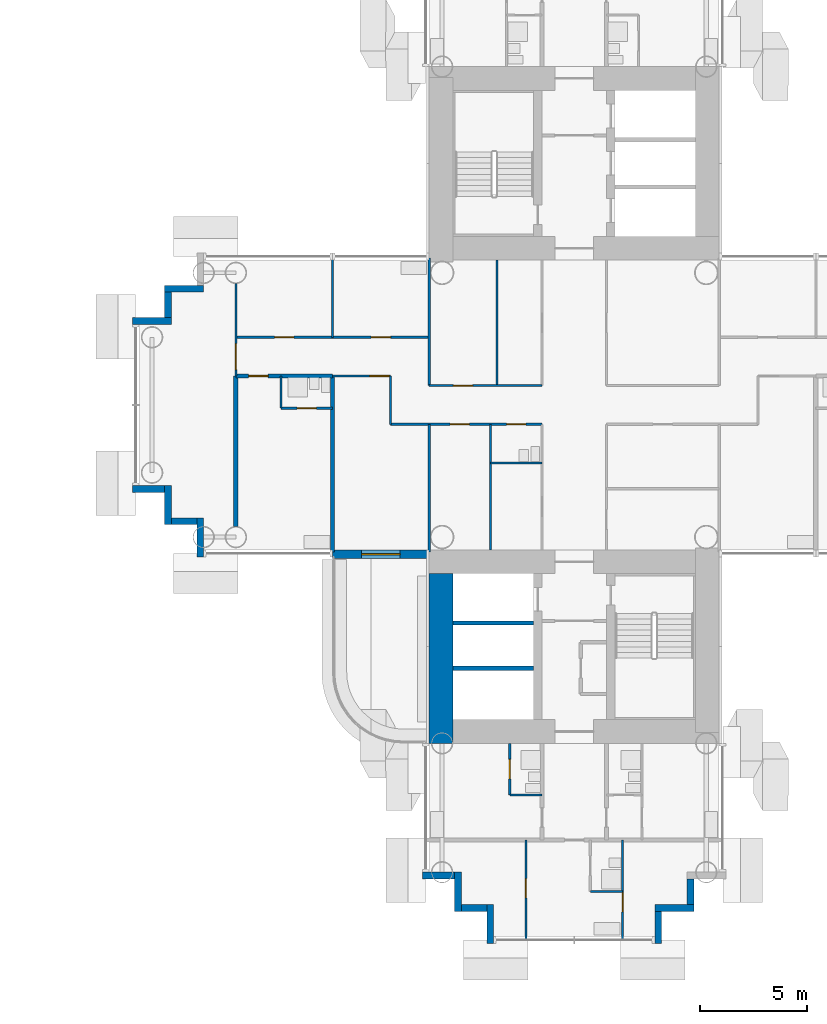
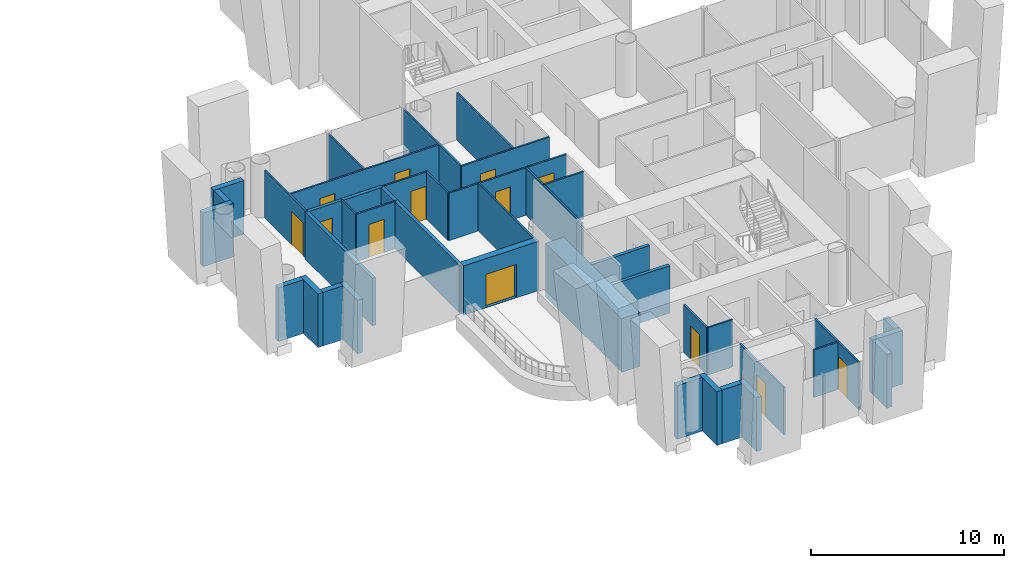
# One storey, part 13 of 23: 40 walls, 13 doors, 13 openings.
"""IFC4 building model written with IfcOpenShell, lengths in metres."""

from ifc_helpers import new_model, si_unit, direction, frame, frame_2d, origin, place, context, subcontext, project, spatial, rectangle, extrude, material, layer, layer_set, type_object, element, fill, save


model = new_model("IFC4")

# Units and contexts
model_context = context("Model", 3, precision=1e-05, world=origin(), true_north=direction((0.0, 1.0)))
body_context = subcontext(model_context, "Body", "Model", "MODEL_VIEW")
ifc_project = project(units=[si_unit("LENGTHUNIT", "METRE"), si_unit("AREAUNIT", "SQUARE_METRE"), si_unit("VOLUMEUNIT", "CUBIC_METRE"), si_unit("PLANEANGLEUNIT", "RADIAN"), si_unit("MASSUNIT", "GRAM", prefix="KILO")], contexts=[model_context])

# Site, building, storey
site_placement = place(None, origin())
site = spatial("IfcSite", under=ifc_project, at=site_placement, CompositionType="ELEMENT")
building_placement = place(site_placement, origin())
building = spatial("IfcBuilding", under=site, at=building_placement, Name="Ipe Terrace Towers", CompositionType="ELEMENT")
storey_placement = place(building_placement, frame((0.0, 0.0, 51.699951171875)))
storey = spatial("IfcBuildingStorey", under=building, at=storey_placement, Name="L13", CompositionType="ELEMENT", Elevation=51.699951171875)

# Wall, opening, door
ifc_material_1 = material(Name="Concrete C40/50 with buff precast cladding", Category="concrete")
ifc_layer_1 = layer(ifc_material_1, 0.39990234375)
ifc_layer_set_1 = layer_set([ifc_layer_1], Name="BALCONY BAY WALL 400")
wall_type_1 = type_object("IfcWallType", Name="BALCONY BAY WALL 400", PredefinedType="STANDARD", material=ifc_layer_set_1)
wall_1_placement = place(storey_placement, frame((24.75, -6.949951171875, -0.02001953125), z_axis=(0.0, 0.0, 1.0), x_axis=(1.0, 0.0, 0.0)))
wall_1 = element("IfcWall", 1, at=wall_1_placement, inside=storey, type_object=wall_type_1, Name="T2-W-L13-44a wall", PredefinedType="STANDARD", context=body_context, shape_type="SweptSolid", body=[
    extrude(rectangle(XDim=4.5, YDim=0.39990234375, at=frame_2d((2.25, 0.0))), origin(), (0.0, 0.0, 1.0), 3.1201171875),
])
opening_1_placement = place(wall_1_placement, frame((1.35009765625, 0.0, 0.02001953125)))
opening_1 = element("IfcOpeningElement", 2, at=opening_1_placement, cuts=wall_1, Name="Opening T2-D-L13-44", PredefinedType="OPENING", context=body_context, shape_type="SweptSolid", body=[
    extrude(rectangle(XDim=1.800048828125, YDim=2.10009765625, at=frame_2d((0.89990234375, 1.050048828125))), frame((0.0, 0.2099609375, 0.0), z_axis=(0.0, -1.0, 0.0), x_axis=(1.0, 0.0, 0.0)), (0.0, 0.0, 1.0), 0.419921875),
])
ifc_material_2 = material(Name="Aluminium alloy 6063-T6 framed glazed door", Category="aluminium")
door_type_1 = type_object("IfcDoorType", Name="BALCONY DOOR 1800 x 2100 RIGHT", OperationType="SINGLE_SWING_RIGHT", PredefinedType="DOOR", material=ifc_material_2)
door_1_placement = place(opening_1_placement, origin())
door_1 = element("IfcDoor", 3, at=door_1_placement, inside=storey, type_object=door_type_1, Name="DB2 door", OperationType="SINGLE_SWING_RIGHT", OverallHeight=2.10009765625, OverallWidth=1.800048828125, PredefinedType="DOOR", context=body_context, shape_type="SweptSolid", body=[
    extrude(rectangle(XDim=1.800048828125, YDim=2.10009765625, at=frame_2d((0.89990234375, 1.050048828125))), frame((0.0, 0.02490234375, 0.0), z_axis=(0.0, -1.0, 0.0), x_axis=(1.0, 0.0, 0.0)), (0.0, 0.0, 1.0), 0.050048828125),
])
fill(opening_1, door_1)

# Walls
ifc_material_3 = material(Name="Concrete C40/50 with buff precast cladding", Category="concrete")
ifc_layer_2 = layer(ifc_material_3, 0.320068359375)
ifc_layer_set_2 = layer_set([ifc_layer_2], Name="BUFF CLADDING WALL 320")
wall_type_2 = type_object("IfcWallType", Name="BUFF CLADDING WALL 320", PredefinedType="STANDARD", material=ifc_layer_set_2)
wall_2_placement = place(storey_placement, frame((39.909912109375, -25.070068359375, -0.300048828125), z_axis=(0.0, 0.0, 1.0), x_axis=(0.0, 1.0, 0.0)))
element("IfcWall", 4, at=wall_2_placement, inside=storey, type_object=wall_type_2, Name="T2-W-L13-00a wall", PredefinedType="STANDARD", context=body_context, shape_type="SweptSolid", body=[
    extrude(rectangle(XDim=1.5, YDim=0.320068359375, at=frame_2d((0.75, 0.0))), origin(), (0.0, 0.0, 1.0), 3.400146484375),
])
wall_3_placement = place(storey_placement, frame((39.75, -23.409912109375, -0.300048828125), z_axis=(0.0, 0.0, 1.0), x_axis=(1.0, 0.0, 0.0)))
element("IfcWall", 5, at=wall_3_placement, inside=storey, type_object=wall_type_2, Name="T2-W-L13-01a wall", PredefinedType="STANDARD", context=body_context, shape_type="SweptSolid", body=[
    extrude(rectangle(XDim=1.820068359375, YDim=0.320068359375, at=frame_2d((0.91015625, 0.0))), origin(), (0.0, 0.0, 1.0), 3.400146484375),
])
wall_4_placement = place(storey_placement, frame((41.409912109375, -23.25, -0.300048828125), z_axis=(0.0, 0.0, 1.0), x_axis=(0.0, 1.0, 0.0)))
element("IfcWall", 6, at=wall_4_placement, inside=storey, type_object=wall_type_2, Name="T2-W-L13-02a wall", PredefinedType="STANDARD", context=body_context, shape_type="SweptSolid", body=[
    extrude(rectangle(XDim=1.179931640625, YDim=0.320068359375, at=frame_2d((0.58984375, 0.0))), origin(), (0.0, 0.0, 1.0), 3.400146484375),
])
wall_5_placement = place(storey_placement, frame((18.75, 5.409912109375, -0.300048828125), z_axis=(0.0, 0.0, 1.0), x_axis=(-1.0, 0.0, 0.0)))
element("IfcWall", 7, at=wall_5_placement, inside=storey, type_object=wall_type_2, Name="T2-W-L13-35a wall", PredefinedType="STANDARD", context=body_context, shape_type="SweptSolid", body=[
    extrude(rectangle(XDim=1.820068359375, YDim=0.320068359375, at=frame_2d((0.91015625, 0.0))), origin(), (0.0, 0.0, 1.0), 3.400146484375),
])
wall_6_placement = place(storey_placement, frame((17.090087890625, 5.25, -0.300048828125), z_axis=(0.0, 0.0, 1.0), x_axis=(0.0, -1.0, 0.0)))
element("IfcWall", 8, at=wall_6_placement, inside=storey, type_object=wall_type_2, Name="T2-W-L13-36a wall", PredefinedType="STANDARD", context=body_context, shape_type="SweptSolid", body=[
    extrude(rectangle(XDim=1.179931640625, YDim=0.320068359375, at=frame_2d((0.58984375, 0.0))), origin(), (0.0, 0.0, 1.0), 3.400146484375),
])
wall_7_placement = place(storey_placement, frame((17.25, 3.909912109375, -0.300048828125), z_axis=(0.0, 0.0, 1.0), x_axis=(-1.0, 0.0, 0.0)))
element("IfcWall", 9, at=wall_7_placement, inside=storey, type_object=wall_type_2, Name="T2-W-L13-37a wall", PredefinedType="STANDARD", context=body_context, shape_type="SweptSolid", body=[
    extrude(rectangle(XDim=1.820068359375, YDim=0.320068359375, at=frame_2d((0.91015625, 0.0))), origin(), (0.0, 0.0, 1.0), 3.400146484375),
])
wall_8_placement = place(storey_placement, frame((15.429931640625, -3.909912109375, -0.300048828125), z_axis=(0.0, 0.0, 1.0), x_axis=(1.0, 0.0, 0.0)))
element("IfcWall", 10, at=wall_8_placement, inside=storey, type_object=wall_type_2, Name="T2-W-L13-39a wall", PredefinedType="STANDARD", context=body_context, shape_type="SweptSolid", body=[
    extrude(rectangle(XDim=1.5, YDim=0.320068359375, at=frame_2d((0.75, 0.0))), origin(), (0.0, 0.0, 1.0), 3.400146484375),
])
wall_9_placement = place(storey_placement, frame((17.090087890625, -3.75, -0.300048828125), z_axis=(0.0, 0.0, 1.0), x_axis=(0.0, -1.0, 0.0)))
element("IfcWall", 11, at=wall_9_placement, inside=storey, type_object=wall_type_2, Name="T2-W-L13-40a wall", PredefinedType="STANDARD", context=body_context, shape_type="SweptSolid", body=[
    extrude(rectangle(XDim=1.820068359375, YDim=0.320068359375, at=frame_2d((0.91015625, 0.0))), origin(), (0.0, 0.0, 1.0), 3.400146484375),
])
wall_10_placement = place(storey_placement, frame((17.25, -5.409912109375, -0.300048828125), z_axis=(0.0, 0.0, 1.0), x_axis=(1.0, 0.0, 0.0)))
element("IfcWall", 12, at=wall_10_placement, inside=storey, type_object=wall_type_2, Name="T2-W-L13-41a wall", PredefinedType="STANDARD", context=body_context, shape_type="SweptSolid", body=[
    extrude(rectangle(XDim=1.179931640625, YDim=0.320068359375, at=frame_2d((0.58984375, 0.0))), origin(), (0.0, 0.0, 1.0), 3.400146484375),
])
wall_11_placement = place(storey_placement, frame((18.590087890625, -5.25, -0.300048828125), z_axis=(0.0, 0.0, 1.0), x_axis=(0.0, -1.0, 0.0)))
element("IfcWall", 13, at=wall_11_placement, inside=storey, type_object=wall_type_2, Name="T2-W-L13-42a wall", PredefinedType="STANDARD", context=body_context, shape_type="SweptSolid", body=[
    extrude(rectangle(XDim=1.820068359375, YDim=0.320068359375, at=frame_2d((0.91015625, 0.0))), origin(), (0.0, 0.0, 1.0), 3.400146484375),
])
wall_12_placement = place(storey_placement, frame((28.929931640625, -21.909912109375, -0.300048828125), z_axis=(0.0, 0.0, 1.0), x_axis=(1.0, 0.0, 0.0)))
element("IfcWall", 14, at=wall_12_placement, inside=storey, type_object=wall_type_2, Name="T2-W-L13-47a wall", PredefinedType="STANDARD", context=body_context, shape_type="SweptSolid", body=[
    extrude(rectangle(XDim=1.5, YDim=0.320068359375, at=frame_2d((0.75, 0.0))), origin(), (0.0, 0.0, 1.0), 3.400146484375),
])
wall_13_placement = place(storey_placement, frame((30.590087890625, -21.75, -0.300048828125), z_axis=(0.0, 0.0, 1.0), x_axis=(0.0, -1.0, 0.0)))
element("IfcWall", 15, at=wall_13_placement, inside=storey, type_object=wall_type_2, Name="T2-W-L13-48a wall", PredefinedType="STANDARD", context=body_context, shape_type="SweptSolid", body=[
    extrude(rectangle(XDim=1.820068359375, YDim=0.320068359375, at=frame_2d((0.91015625, 0.0))), origin(), (0.0, 0.0, 1.0), 3.400146484375),
])
wall_14_placement = place(storey_placement, frame((30.75, -23.409912109375, -0.300048828125), z_axis=(0.0, 0.0, 1.0), x_axis=(1.0, 0.0, 0.0)))
element("IfcWall", 16, at=wall_14_placement, inside=storey, type_object=wall_type_2, Name="T2-W-L13-49a wall", PredefinedType="STANDARD", context=body_context, shape_type="SweptSolid", body=[
    extrude(rectangle(XDim=1.179931640625, YDim=0.320068359375, at=frame_2d((0.58984375, 0.0))), origin(), (0.0, 0.0, 1.0), 3.400146484375),
])
wall_15_placement = place(storey_placement, frame((32.090087890625, -23.25, -0.300048828125), z_axis=(0.0, 0.0, 1.0), x_axis=(0.0, -1.0, 0.0)))
element("IfcWall", 17, at=wall_15_placement, inside=storey, type_object=wall_type_2, Name="T2-W-L13-50a wall", PredefinedType="STANDARD", context=body_context, shape_type="SweptSolid", body=[
    extrude(rectangle(XDim=1.820068359375, YDim=0.320068359375, at=frame_2d((0.91015625, 0.0))), origin(), (0.0, 0.0, 1.0), 3.400146484375),
])
ifc_material_4 = material(Name="Gypsum board partition", Category="plasterboard")
ifc_layer_3 = layer(ifc_material_4, 0.10009765625)
ifc_layer_set_3 = layer_set([ifc_layer_3], Name="Gypsum board partition 100 mm")
wall_type_3 = type_object("IfcWallType", Name="Gypsum board partition 100 mm", PredefinedType="PARTITIONING", material=ifc_layer_set_3)
for number, where, z_axis, x_axis, name in (
    (18, (38.25, -22.64990234375, 0.0), (0.0, 0.0, 1.0), (-1.0, 0.0, 0.0), "Gypsum board partition T2 L13 W01"),
    (19, (34.5, -18.14990234375, 0.0), (0.0, 0.0, 1.0), (-1.0, 0.0, 0.0), "Gypsum board partition T2 L13 W04"),
):
    element("IfcWall", number, at=place(storey_placement, frame(where, z_axis=z_axis, x_axis=x_axis)), inside=storey, type_object=wall_type_3, Name=name, PredefinedType="PARTITIONING", context=body_context, shape_type="SweptSolid", body=[
        extrude(rectangle(XDim=1.5, YDim=0.10009765625, at=frame_2d((0.75, 0.0))), origin(), (0.0, 0.0, 1.0), 3.0),
    ])
wall_16_placement = place(storey_placement, frame((34.5, -2.699951171875, 0.0), z_axis=(0.0, 0.0, 1.0), x_axis=(-1.0, 0.0, 0.0)))
element("IfcWall", 20, at=wall_16_placement, inside=storey, type_object=wall_type_3, Name="Gypsum board partition T2 L13 W06", PredefinedType="PARTITIONING", context=body_context, shape_type="SweptSolid", body=[
    extrude(rectangle(XDim=2.39990234375, YDim=0.10009765625, at=frame_2d((1.199951171875, 0.0))), origin(), (0.0, 0.0, 1.0), 3.0),
])

# Wall, openings, doors
wall_17_placement = place(storey_placement, frame((34.5, -0.89990234375, 0.0), z_axis=(0.0, 0.0, 1.0), x_axis=(-1.0, 0.0, 0.0)))
wall_17 = element("IfcWall", 21, at=wall_17_placement, inside=storey, type_object=wall_type_3, Name="Gypsum board partition T2 L13 W08", PredefinedType="PARTITIONING", context=body_context, shape_type="SweptSolid", body=[
    extrude(rectangle(XDim=7.050048828125, YDim=0.10009765625, at=frame_2d((3.52490234375, 0.0))), origin(), (0.0, 0.0, 1.0), 3.0),
])
opening_2_placement = place(wall_17_placement, frame((0.75, 0.0, 0.0)))
opening_2 = element("IfcOpeningElement", 22, at=opening_2_placement, cuts=wall_17, Name="Opening T2-Z1C-01", PredefinedType="OPENING", context=body_context, shape_type="SweptSolid", body=[
    extrude(rectangle(XDim=0.89990234375, YDim=2.10009765625, at=frame_2d((0.449951171875, 1.050048828125))), frame((0.0, 0.06005859375, 0.0), z_axis=(0.0, -1.0, 0.0), x_axis=(1.0, 0.0, 0.0)), (0.0, 0.0, 1.0), 0.1201171875),
])
opening_3_placement = place(wall_17_placement, frame((3.375, 0.0, 0.0)))
opening_3 = element("IfcOpeningElement", 23, at=opening_3_placement, cuts=wall_17, Name="Opening T2-Z1C-05", PredefinedType="OPENING", context=body_context, shape_type="SweptSolid", body=[
    extrude(rectangle(XDim=0.89990234375, YDim=2.10009765625, at=frame_2d((0.449951171875, 1.050048828125))), frame((0.0, 0.06005859375, 0.0), z_axis=(0.0, -1.0, 0.0), x_axis=(1.0, 0.0, 0.0)), (0.0, 0.0, 1.0), 0.1201171875),
])
ifc_material_5 = material(Name="Timber door leaf", Category="wood")
door_type_2 = type_object("IfcDoorType", Name="Bathroom door 900 x 2100", OperationType="NOTDEFINED", PredefinedType="DOOR", material=ifc_material_5)
door_2_placement = place(opening_2_placement, origin())
door_2 = element("IfcDoor", 24, at=door_2_placement, inside=storey, type_object=door_type_2, Name="Bathroom door T2-Z1C-01", OperationType="SINGLE_SWING_RIGHT", OverallHeight=2.10009765625, OverallWidth=0.89990234375, PredefinedType="DOOR", context=body_context, shape_type="SweptSolid", body=[
    extrude(rectangle(XDim=0.89990234375, YDim=2.10009765625, at=frame_2d((0.449951171875, 1.050048828125))), frame((0.0, 0.02490234375, 0.0), z_axis=(0.0, -1.0, 0.0), x_axis=(1.0, 0.0, 0.0)), (0.0, 0.0, 1.0), 0.050048828125),
])
fill(opening_2, door_2)
ifc_material_6 = material(Name="Timber door leaf", Category="wood")
door_type_3 = type_object("IfcDoorType", Name="Lounge door 900 x 2100", OperationType="NOTDEFINED", PredefinedType="DOOR", material=ifc_material_6)
door_3_placement = place(opening_3_placement, origin())
door_3 = element("IfcDoor", 25, at=door_3_placement, inside=storey, type_object=door_type_3, Name="Lounge door T2-Z1C-05", OperationType="SINGLE_SWING_LEFT", OverallHeight=2.10009765625, OverallWidth=0.89990234375, PredefinedType="DOOR", context=body_context, shape_type="SweptSolid", body=[
    extrude(rectangle(XDim=0.89990234375, YDim=2.10009765625, at=frame_2d((0.449951171875, 1.050048828125))), frame((0.0, 0.02490234375, 0.0), z_axis=(0.0, -1.0, 0.0), x_axis=(1.0, 0.0, 0.0)), (0.0, 0.0, 1.0), 0.050048828125),
])
fill(opening_3, door_3)

# Wall, opening, door
wall_18_placement = place(storey_placement, frame((24.75, -0.14990234375, 0.0), z_axis=(0.0, 0.0, 1.0), x_axis=(-1.0, 0.0, 0.0)))
wall_18 = element("IfcWall", 26, at=wall_18_placement, inside=storey, type_object=wall_type_3, Name="Gypsum board partition T2 L13 W10", PredefinedType="PARTITIONING", context=body_context, shape_type="SweptSolid", body=[
    extrude(rectangle(XDim=2.39990234375, YDim=0.10009765625, at=frame_2d((1.199951171875, 0.0))), origin(), (0.0, 0.0, 1.0), 3.0),
])
opening_4_placement = place(wall_18_placement, frame((0.75, 0.0, 0.0)))
opening_4 = element("IfcOpeningElement", 27, at=opening_4_placement, cuts=wall_18, Name="Opening T2-Z1C-11", PredefinedType="OPENING", context=body_context, shape_type="SweptSolid", body=[
    extrude(rectangle(XDim=0.89990234375, YDim=2.10009765625, at=frame_2d((0.449951171875, 1.050048828125))), frame((0.0, 0.06005859375, 0.0), z_axis=(0.0, -1.0, 0.0), x_axis=(1.0, 0.0, 0.0)), (0.0, 0.0, 1.0), 0.1201171875),
])
door_4_placement = place(opening_4_placement, origin())
door_4 = element("IfcDoor", 28, at=door_4_placement, inside=storey, type_object=door_type_2, Name="Bathroom door T2-Z1C-11", OperationType="SINGLE_SWING_LEFT", OverallHeight=2.10009765625, OverallWidth=0.89990234375, PredefinedType="DOOR", context=body_context, shape_type="SweptSolid", body=[
    extrude(rectangle(XDim=0.89990234375, YDim=2.10009765625, at=frame_2d((0.449951171875, 1.050048828125))), frame((0.0, 0.02490234375, 0.0), z_axis=(0.0, -1.0, 0.0), x_axis=(1.0, 0.0, 0.0)), (0.0, 0.0, 1.0), 0.050048828125),
])
fill(opening_4, door_4)

wall_19_placement = place(storey_placement, frame((34.5, 0.89990234375, 0.0), z_axis=(0.0, 0.0, 1.0), x_axis=(-1.0, 0.0, 0.0)))
wall_19 = element("IfcWall", 29, at=wall_19_placement, inside=storey, type_object=wall_type_3, Name="Gypsum board partition T2 L13 W12", PredefinedType="PARTITIONING", context=body_context, shape_type="SweptSolid", body=[
    extrude(rectangle(XDim=5.25, YDim=0.10009765625, at=frame_2d((2.625, 0.0))), origin(), (0.0, 0.0, 1.0), 3.0),
])
opening_5_placement = place(wall_19_placement, frame((3.22509765625, 0.0, 0.0)))
opening_5 = element("IfcOpeningElement", 30, at=opening_5_placement, cuts=wall_19, Name="Opening T2-Z1C-03", PredefinedType="OPENING", context=body_context, shape_type="SweptSolid", body=[
    extrude(rectangle(XDim=0.89990234375, YDim=2.10009765625, at=frame_2d((0.449951171875, 1.050048828125))), frame((0.0, 0.06005859375, 0.0), z_axis=(0.0, -1.0, 0.0), x_axis=(1.0, 0.0, 0.0)), (0.0, 0.0, 1.0), 0.1201171875),
])
door_5_placement = place(opening_5_placement, origin())
door_5 = element("IfcDoor", 31, at=door_5_placement, inside=storey, type_object=door_type_3, Name="Lounge door T2-Z1C-03", OperationType="SINGLE_SWING_RIGHT", OverallHeight=2.10009765625, OverallWidth=0.89990234375, PredefinedType="DOOR", context=body_context, shape_type="SweptSolid", body=[
    extrude(rectangle(XDim=0.89990234375, YDim=2.10009765625, at=frame_2d((0.449951171875, 1.050048828125))), frame((0.0, 0.02490234375, 0.0), z_axis=(0.0, -1.0, 0.0), x_axis=(1.0, 0.0, 0.0)), (0.0, 0.0, 1.0), 0.050048828125),
])
fill(opening_5, door_5)

wall_20_placement = place(storey_placement, frame((27.449951171875, 1.35009765625, 0.0), z_axis=(0.0, 0.0, 1.0), x_axis=(-1.0, 0.0, 0.0)))
wall_20 = element("IfcWall", 32, at=wall_20_placement, inside=storey, type_object=wall_type_3, Name="Gypsum board partition T2 L13 W14", PredefinedType="PARTITIONING", context=body_context, shape_type="SweptSolid", body=[
    extrude(rectangle(XDim=2.699951171875, YDim=0.10009765625, at=frame_2d((1.35009765625, 0.0))), origin(), (0.0, 0.0, 1.0), 3.0),
])
opening_6_placement = place(wall_20_placement, frame((0.070068359375, 0.0, 0.0)))
opening_6 = element("IfcOpeningElement", 33, at=opening_6_placement, cuts=wall_20, Name="Opening T2-Z1C-09", PredefinedType="OPENING", context=body_context, shape_type="SweptSolid", body=[
    extrude(rectangle(XDim=0.89990234375, YDim=2.10009765625, at=frame_2d((0.449951171875, 1.050048828125))), frame((0.0, 0.06005859375, 0.0), z_axis=(0.0, -1.0, 0.0), x_axis=(1.0, 0.0, 0.0)), (0.0, 0.0, 1.0), 0.1201171875),
])
door_6_placement = place(opening_6_placement, origin())
door_6 = element("IfcDoor", 34, at=door_6_placement, inside=storey, type_object=door_type_3, Name="Lounge door T2-Z1C-09", OperationType="SINGLE_SWING_RIGHT", OverallHeight=2.10009765625, OverallWidth=0.89990234375, PredefinedType="DOOR", context=body_context, shape_type="SweptSolid", body=[
    extrude(rectangle(XDim=0.89990234375, YDim=2.10009765625, at=frame_2d((0.449951171875, 1.050048828125))), frame((0.0, 0.02490234375, 0.0), z_axis=(0.0, -1.0, 0.0), x_axis=(1.0, 0.0, 0.0)), (0.0, 0.0, 1.0), 0.050048828125),
])
fill(opening_6, door_6)

# Wall, openings, doors
wall_21_placement = place(storey_placement, frame((29.25, 3.14990234375, 0.0), z_axis=(0.0, 0.0, 1.0), x_axis=(-1.0, 0.0, 0.0)))
wall_21 = element("IfcWall", 35, at=wall_21_placement, inside=storey, type_object=wall_type_3, Name="Gypsum board partition T2 L13 W18", PredefinedType="PARTITIONING", context=body_context, shape_type="SweptSolid", body=[
    extrude(rectangle(XDim=9.0, YDim=0.10009765625, at=frame_2d((4.5, 0.0))), origin(), (0.0, 0.0, 1.0), 3.0),
])
opening_7_placement = place(wall_21_placement, frame((1.800048828125, 0.0, 0.0)))
opening_7 = element("IfcOpeningElement", 36, at=opening_7_placement, cuts=wall_21, Name="Opening T2-Z1C-12", PredefinedType="OPENING", context=body_context, shape_type="SweptSolid", body=[
    extrude(rectangle(XDim=0.89990234375, YDim=2.10009765625, at=frame_2d((0.449951171875, 1.050048828125))), frame((0.0, 0.06005859375, 0.0), z_axis=(0.0, -1.0, 0.0), x_axis=(1.0, 0.0, 0.0)), (0.0, 0.0, 1.0), 0.1201171875),
])
opening_8_placement = place(wall_21_placement, frame((6.300048828125, 0.0, 0.0)))
opening_8 = element("IfcOpeningElement", 37, at=opening_8_placement, cuts=wall_21, Name="Opening T2-Z1C-13", PredefinedType="OPENING", context=body_context, shape_type="SweptSolid", body=[
    extrude(rectangle(XDim=0.89990234375, YDim=2.10009765625, at=frame_2d((0.449951171875, 1.050048828125))), frame((0.0, 0.06005859375, 0.0), z_axis=(0.0, -1.0, 0.0), x_axis=(1.0, 0.0, 0.0)), (0.0, 0.0, 1.0), 0.1201171875),
])
door_7_placement = place(opening_7_placement, origin())
door_7 = element("IfcDoor", 38, at=door_7_placement, inside=storey, type_object=door_type_3, Name="Lounge door T2-Z1C-12", OperationType="SINGLE_SWING_LEFT", OverallHeight=2.10009765625, OverallWidth=0.89990234375, PredefinedType="DOOR", context=body_context, shape_type="SweptSolid", body=[
    extrude(rectangle(XDim=0.89990234375, YDim=2.10009765625, at=frame_2d((0.449951171875, 1.050048828125))), frame((0.0, 0.02490234375, 0.0), z_axis=(0.0, -1.0, 0.0), x_axis=(1.0, 0.0, 0.0)), (0.0, 0.0, 1.0), 0.050048828125),
])
fill(opening_7, door_7)
door_8_placement = place(opening_8_placement, origin())
door_8 = element("IfcDoor", 39, at=door_8_placement, inside=storey, type_object=door_type_3, Name="Lounge door T2-Z1C-13", OperationType="SINGLE_SWING_RIGHT", OverallHeight=2.10009765625, OverallWidth=0.89990234375, PredefinedType="DOOR", context=body_context, shape_type="SweptSolid", body=[
    extrude(rectangle(XDim=0.89990234375, YDim=2.10009765625, at=frame_2d((0.449951171875, 1.050048828125))), frame((0.0, 0.02490234375, 0.0), z_axis=(0.0, -1.0, 0.0), x_axis=(1.0, 0.0, 0.0)), (0.0, 0.0, 1.0), 0.050048828125),
])
fill(opening_8, door_8)

# Wall, opening, door
wall_22_placement = place(storey_placement, frame((38.25, -24.85009765625, 0.0), z_axis=(0.0, 0.0, 1.0), x_axis=(0.0, 1.0, 0.0)))
wall_22 = element("IfcWall", 40, at=wall_22_placement, inside=storey, type_object=wall_type_3, Name="Gypsum board partition T2 L13 W34", PredefinedType="PARTITIONING", context=body_context, shape_type="SweptSolid", body=[
    extrude(rectangle(XDim=4.60009765625, YDim=0.10009765625, at=frame_2d((2.300048828125, 0.0))), origin(), (0.0, 0.0, 1.0), 3.0),
])
opening_9_placement = place(wall_22_placement, frame((1.25, 0.0, 0.0)))
opening_9 = element("IfcOpeningElement", 41, at=opening_9_placement, cuts=wall_22, Name="Opening T2-Z1C-34", PredefinedType="OPENING", context=body_context, shape_type="SweptSolid", body=[
    extrude(rectangle(XDim=0.89990234375, YDim=2.10009765625, at=frame_2d((0.449951171875, 1.050048828125))), frame((0.0, 0.06005859375, 0.0), z_axis=(0.0, -1.0, 0.0), x_axis=(1.0, 0.0, 0.0)), (0.0, 0.0, 1.0), 0.1201171875),
])
door_9_placement = place(opening_9_placement, origin())
door_9 = element("IfcDoor", 42, at=door_9_placement, inside=storey, type_object=door_type_3, Name="Lounge door T2-Z1C-34", OperationType="SINGLE_SWING_LEFT", OverallHeight=2.10009765625, OverallWidth=0.89990234375, PredefinedType="DOOR", context=body_context, shape_type="SweptSolid", body=[
    extrude(rectangle(XDim=0.89990234375, YDim=2.10009765625, at=frame_2d((0.449951171875, 1.050048828125))), frame((0.0, 0.02490234375, 0.0), z_axis=(0.0, -1.0, 0.0), x_axis=(1.0, 0.0, 0.0)), (0.0, 0.0, 1.0), 0.050048828125),
])
fill(opening_9, door_9)

wall_23_placement = place(storey_placement, frame((33.75, -24.85009765625, 0.0), z_axis=(0.0, 0.0, 1.0), x_axis=(0.0, 1.0, 0.0)))
wall_23 = element("IfcWall", 43, at=wall_23_placement, inside=storey, type_object=wall_type_3, Name="Gypsum board partition T2 L13 W44", PredefinedType="PARTITIONING", context=body_context, shape_type="SweptSolid", body=[
    extrude(rectangle(XDim=4.60009765625, YDim=0.10009765625, at=frame_2d((2.300048828125, 0.0))), origin(), (0.0, 0.0, 1.0), 3.0),
])
opening_10_placement = place(wall_23_placement, frame((1.89990234375, 0.0, 0.0)))
opening_10 = element("IfcOpeningElement", 44, at=opening_10_placement, cuts=wall_23, Name="Opening T2-Z1C-35", PredefinedType="OPENING", context=body_context, shape_type="SweptSolid", body=[
    extrude(rectangle(XDim=0.89990234375, YDim=2.10009765625, at=frame_2d((0.449951171875, 1.050048828125))), frame((0.0, 0.06005859375, 0.0), z_axis=(0.0, -1.0, 0.0), x_axis=(1.0, 0.0, 0.0)), (0.0, 0.0, 1.0), 0.1201171875),
])
door_10_placement = place(opening_10_placement, origin())
door_10 = element("IfcDoor", 45, at=door_10_placement, inside=storey, type_object=door_type_3, Name="Lounge door T2-Z1C-35", OperationType="SINGLE_SWING_LEFT", OverallHeight=2.10009765625, OverallWidth=0.89990234375, PredefinedType="DOOR", context=body_context, shape_type="SweptSolid", body=[
    extrude(rectangle(XDim=0.89990234375, YDim=2.10009765625, at=frame_2d((0.449951171875, 1.050048828125))), frame((0.0, 0.02490234375, 0.0), z_axis=(0.0, -1.0, 0.0), x_axis=(1.0, 0.0, 0.0)), (0.0, 0.0, 1.0), 0.050048828125),
])
fill(opening_10, door_10)

wall_24_placement = place(storey_placement, frame((33.0, -18.14990234375, 0.0), z_axis=(0.0, 0.0, 1.0), x_axis=(0.0, 1.0, 0.0)))
wall_24 = element("IfcWall", 46, at=wall_24_placement, inside=storey, type_object=wall_type_3, Name="Gypsum board partition T2 L13 W45", PredefinedType="PARTITIONING", context=body_context, shape_type="SweptSolid", body=[
    extrude(rectangle(XDim=2.39990234375, YDim=0.10009765625, at=frame_2d((1.199951171875, 0.0))), origin(), (0.0, 0.0, 1.0), 3.0),
])
opening_11_placement = place(wall_24_placement, frame((0.75, 0.0, 0.0)))
opening_11 = element("IfcOpeningElement", 47, at=opening_11_placement, cuts=wall_24, Name="Opening T2-Z1C-31", PredefinedType="OPENING", context=body_context, shape_type="SweptSolid", body=[
    extrude(rectangle(XDim=0.89990234375, YDim=2.10009765625, at=frame_2d((0.449951171875, 1.050048828125))), frame((0.0, 0.06005859375, 0.0), z_axis=(0.0, -1.0, 0.0), x_axis=(1.0, 0.0, 0.0)), (0.0, 0.0, 1.0), 0.1201171875),
])
door_11_placement = place(opening_11_placement, origin())
door_11 = element("IfcDoor", 48, at=door_11_placement, inside=storey, type_object=door_type_2, Name="Bathroom door T2-Z1C-31", OperationType="SINGLE_SWING_RIGHT", OverallHeight=2.10009765625, OverallWidth=0.89990234375, PredefinedType="DOOR", context=body_context, shape_type="SweptSolid", body=[
    extrude(rectangle(XDim=0.89990234375, YDim=2.10009765625, at=frame_2d((0.449951171875, 1.050048828125))), frame((0.0, 0.02490234375, 0.0), z_axis=(0.0, -1.0, 0.0), x_axis=(1.0, 0.0, 0.0)), (0.0, 0.0, 1.0), 0.050048828125),
])
fill(opening_11, door_11)

# Walls
for number, where, z_axis, x_axis, name in (
    (49, (32.39990234375, 0.89990234375, 0.0), (0.0, 0.0, 1.0), (0.0, 1.0, 0.0), "Gypsum board partition T2 L13 W47"),
    (50, (32.10009765625, -6.75, 0.0), (0.0, 0.0, 1.0), (0.0, 1.0, 0.0), "Gypsum board partition T2 L13 W48"),
):
    element("IfcWall", number, at=place(storey_placement, frame(where, z_axis=z_axis, x_axis=x_axis)), inside=storey, type_object=wall_type_3, Name=name, PredefinedType="PARTITIONING", context=body_context, shape_type="SweptSolid", body=[
        extrude(rectangle(XDim=5.85009765625, YDim=0.10009765625, at=frame_2d((2.925048828125, 0.0))), origin(), (0.0, 0.0, 1.0), 3.0),
    ])
for number, where, z_axis, x_axis, name in (
    (51, (29.25, -6.85009765625, 0.0), (0.0, 0.0, 1.0), (0.0, 1.0, 0.0), "Gypsum board partition T2 L13 W49"),
    (52, (29.25, 0.89990234375, 0.0), (0.0, 0.0, 1.0), (0.0, 1.0, 0.0), "Gypsum board partition T2 L13 W50"),
):
    element("IfcWall", number, at=place(storey_placement, frame(where, z_axis=z_axis, x_axis=x_axis)), inside=storey, type_object=wall_type_3, Name=name, PredefinedType="PARTITIONING", context=body_context, shape_type="SweptSolid", body=[
        extrude(rectangle(XDim=5.9501953125, YDim=0.10009765625, at=frame_2d((2.97509765625, 0.0))), origin(), (0.0, 0.0, 1.0), 3.0),
    ])
wall_25_placement = place(storey_placement, frame((27.449951171875, -0.89990234375, 0.0), z_axis=(0.0, 0.0, 1.0), x_axis=(0.0, 1.0, 0.0)))
element("IfcWall", 53, at=wall_25_placement, inside=storey, type_object=wall_type_3, Name="Gypsum board partition T2 L13 W51", PredefinedType="PARTITIONING", context=body_context, shape_type="SweptSolid", body=[
    extrude(rectangle(XDim=2.25, YDim=0.10009765625, at=frame_2d((1.125, 0.0))), origin(), (0.0, 0.0, 1.0), 3.0),
])
wall_26_placement = place(storey_placement, frame((24.75, 3.14990234375, 0.0), z_axis=(0.0, 0.0, 1.0), x_axis=(0.0, 1.0, 0.0)))
element("IfcWall", 54, at=wall_26_placement, inside=storey, type_object=wall_type_3, Name="Gypsum board partition T2 L13 W52", PredefinedType="PARTITIONING", context=body_context, shape_type="SweptSolid", body=[
    extrude(rectangle(XDim=3.7001953125, YDim=0.10009765625, at=frame_2d((1.85009765625, 0.0))), origin(), (0.0, 0.0, 1.0), 3.0),
])
wall_27_placement = place(storey_placement, frame((22.35009765625, -0.14990234375, 0.0), z_axis=(0.0, 0.0, 1.0), x_axis=(0.0, 1.0, 0.0)))
element("IfcWall", 55, at=wall_27_placement, inside=storey, type_object=wall_type_3, Name="Gypsum board partition T2 L13 W54", PredefinedType="PARTITIONING", context=body_context, shape_type="SweptSolid", body=[
    extrude(rectangle(XDim=1.5, YDim=0.10009765625, at=frame_2d((0.75, 0.0))), origin(), (0.0, 0.0, 1.0), 3.0),
])

# Wall, opening, door
wall_28_placement = place(storey_placement, frame((20.25, 1.35009765625, 0.0), z_axis=(0.0, 0.0, 1.0), x_axis=(0.0, 1.0, 0.0)))
wall_28 = element("IfcWall", 56, at=wall_28_placement, inside=storey, type_object=wall_type_3, Name="Gypsum board partition T2 L13 W55", PredefinedType="PARTITIONING", context=body_context, shape_type="SweptSolid", body=[
    extrude(rectangle(XDim=4.2998046875, YDim=0.10009765625, at=frame_2d((2.14990234375, 0.0))), origin(), (0.0, 0.0, 1.0), 3.0),
])
opening_12_placement = place(wall_28_placement, frame((0.300048828125, 0.0, 0.0)))
opening_12 = element("IfcOpeningElement", 57, at=opening_12_placement, cuts=wall_28, Name="Opening T2-Z1C-14", PredefinedType="OPENING", context=body_context, shape_type="SweptSolid", body=[
    extrude(rectangle(XDim=1.199951171875, YDim=2.10009765625, at=frame_2d((0.60009765625, 1.050048828125))), frame((0.0, 0.06005859375, 0.0), z_axis=(0.0, -1.0, 0.0), x_axis=(1.0, 0.0, 0.0)), (0.0, 0.0, 1.0), 0.1201171875),
])
ifc_material_7 = material(Name="Timber door leaf", Category="wood")
door_type_4 = type_object("IfcDoorType", Name="Lounge door 1200 x 2100", OperationType="NOTDEFINED", PredefinedType="DOOR", material=ifc_material_7)
door_12_placement = place(opening_12_placement, origin())
door_12 = element("IfcDoor", 58, at=door_12_placement, inside=storey, type_object=door_type_4, Name="Lounge door T2-Z1C-14", OperationType="SINGLE_SWING_RIGHT", OverallHeight=2.10009765625, OverallWidth=1.199951171875, PredefinedType="DOOR", context=body_context, shape_type="SweptSolid", body=[
    extrude(rectangle(XDim=1.199951171875, YDim=2.10009765625, at=frame_2d((0.60009765625, 1.050048828125))), frame((0.0, 0.02490234375, 0.0), z_axis=(0.0, -1.0, 0.0), x_axis=(1.0, 0.0, 0.0)), (0.0, 0.0, 1.0), 0.050048828125),
])
fill(opening_12, door_12)

# Walls
ifc_material_8 = material(Name="Gypsum board party wall", Category="plasterboard")
ifc_layer_4 = layer(ifc_material_8, 0.199951171875)
ifc_layer_set_4 = layer_set([ifc_layer_4], Name="Gypsum board party wall 200 mm")
wall_type_4 = type_object("IfcWallType", Name="Gypsum board party wall 200 mm", PredefinedType="SOLIDWALL", material=ifc_layer_set_4)
for number, where, z_axis, x_axis, name in (
    (59, (30.35009765625, -10.14990234375, 0.0), (0.0, 0.0, 1.0), (1.0, 0.0, 0.0), "Gypsum board party wall T2 L13 t2c2-shaft-div1"),
    (60, (30.35009765625, -12.25, 0.0), (0.0, 0.0, 1.0), (1.0, 0.0, 0.0), "Gypsum board party wall T2 L13 t2c2-shaft-div2"),
):
    element("IfcWall", number, at=place(storey_placement, frame(where, z_axis=z_axis, x_axis=x_axis)), inside=storey, type_object=wall_type_4, Name=name, PredefinedType="SOLIDWALL", context=body_context, shape_type="SweptSolid", body=[
        extrude(rectangle(XDim=3.75, YDim=0.199951171875, at=frame_2d((1.875, 0.0))), origin(), (0.0, 0.0, 1.0), 3.0),
    ])

# Wall, opening, door
wall_29_placement = place(storey_placement, frame((24.75, 1.35009765625, 0.0), z_axis=(0.0, 0.0, 1.0), x_axis=(-1.0, 0.0, 0.0)))
wall_29 = element("IfcWall", 61, at=wall_29_placement, inside=storey, type_object=wall_type_4, Name="Gypsum board party wall T2 L13 W16", PredefinedType="SOLIDWALL", context=body_context, shape_type="SweptSolid", body=[
    extrude(rectangle(XDim=4.5, YDim=0.199951171875, at=frame_2d((2.25, 0.0))), origin(), (0.0, 0.0, 1.0), 3.0),
])
opening_13_placement = place(wall_29_placement, frame((3.0, 0.0, 0.0)))
opening_13 = element("IfcOpeningElement", 62, at=opening_13_placement, cuts=wall_29, Name="Opening T2-Z1C-10", PredefinedType="OPENING", context=body_context, shape_type="SweptSolid", body=[
    extrude(rectangle(XDim=0.89990234375, YDim=2.10009765625, at=frame_2d((0.449951171875, 1.050048828125))), frame((0.0, 0.10986328125, 0.0), z_axis=(0.0, -1.0, 0.0), x_axis=(1.0, 0.0, 0.0)), (0.0, 0.0, 1.0), 0.219970703125),
])
ifc_material_9 = material(Name="Fire-rated timber door leaf", Category="wood")
door_type_5 = type_object("IfcDoorType", Name="Flat entrance door 900 x 2100 FD30S", OperationType="NOTDEFINED", PredefinedType="DOOR", material=ifc_material_9)
door_13_placement = place(opening_13_placement, origin())
door_13 = element("IfcDoor", 63, at=door_13_placement, inside=storey, type_object=door_type_5, Name="Flat entrance door T2-Z1C-10", OperationType="SINGLE_SWING_LEFT", OverallHeight=2.10009765625, OverallWidth=0.89990234375, PredefinedType="DOOR", context=body_context, shape_type="SweptSolid", body=[
    extrude(rectangle(XDim=0.89990234375, YDim=2.10009765625, at=frame_2d((0.449951171875, 1.050048828125))), frame((0.0, 0.02490234375, 0.0), z_axis=(0.0, -1.0, 0.0), x_axis=(1.0, 0.0, 0.0)), (0.0, 0.0, 1.0), 0.050048828125),
])
fill(opening_13, door_13)

# Walls
wall_30_placement = place(storey_placement, frame((24.75, -6.85009765625, 0.0), z_axis=(0.0, 0.0, 1.0), x_axis=(0.0, 1.0, 0.0)))
element("IfcWall", 64, at=wall_30_placement, inside=storey, type_object=wall_type_4, Name="Gypsum board party wall T2 L13 W53", PredefinedType="SOLIDWALL", context=body_context, shape_type="SweptSolid", body=[
    extrude(rectangle(XDim=8.2001953125, YDim=0.199951171875, at=frame_2d((4.10009765625, 0.0))), origin(), (0.0, 0.0, 1.0), 3.0),
])
wall_31_placement = place(storey_placement, frame((20.25, -5.64990234375, 0.0), z_axis=(0.0, 0.0, 1.0), x_axis=(0.0, 1.0, 0.0)))
element("IfcWall", 65, at=wall_31_placement, inside=storey, type_object=wall_type_4, Name="Gypsum board party wall T2 L13 W56", PredefinedType="SOLIDWALL", context=body_context, shape_type="SweptSolid", body=[
    extrude(rectangle(XDim=7.0, YDim=0.199951171875, at=frame_2d((3.5, 0.0))), origin(), (0.0, 0.0, 1.0), 3.0),
])
ifc_material_10 = material(Name="Concrete C60/75", Category="concrete")
ifc_layer_5 = layer(ifc_material_10, 1.10009765625)
ifc_layer_set_5 = layer_set([ifc_layer_5], Name="RW1100 CORE WALL 1100 C60-75")
wall_type_5 = type_object("IfcWallType", Name="RW1100 CORE WALL 1100 C60-75", PredefinedType="SHEAR", material=ifc_layer_set_5)
wall_32_placement = place(storey_placement, frame((29.800048828125, -7.85009765625, 0.0), z_axis=(0.0, 0.0, 1.0), x_axis=(0.0, -1.0, 0.0)))
element("IfcWall", 66, at=wall_32_placement, inside=storey, type_object=wall_type_5, Name="Core wall T2-C2-Z1-W04", PredefinedType="SHEAR", context=body_context, shape_type="SweptSolid", body=[
    extrude(rectangle(XDim=7.89990234375, YDim=1.10009765625, at=frame_2d((3.949951171875, 0.0))), origin(), (0.0, 0.0, 1.0), 3.400146484375),
])

save(model, "model.ifc")
